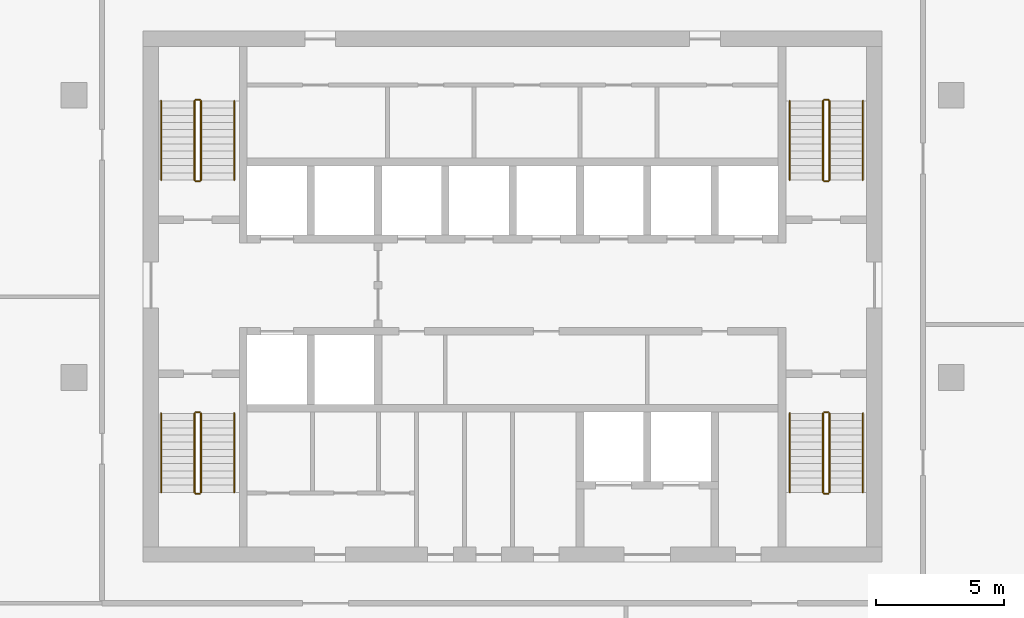
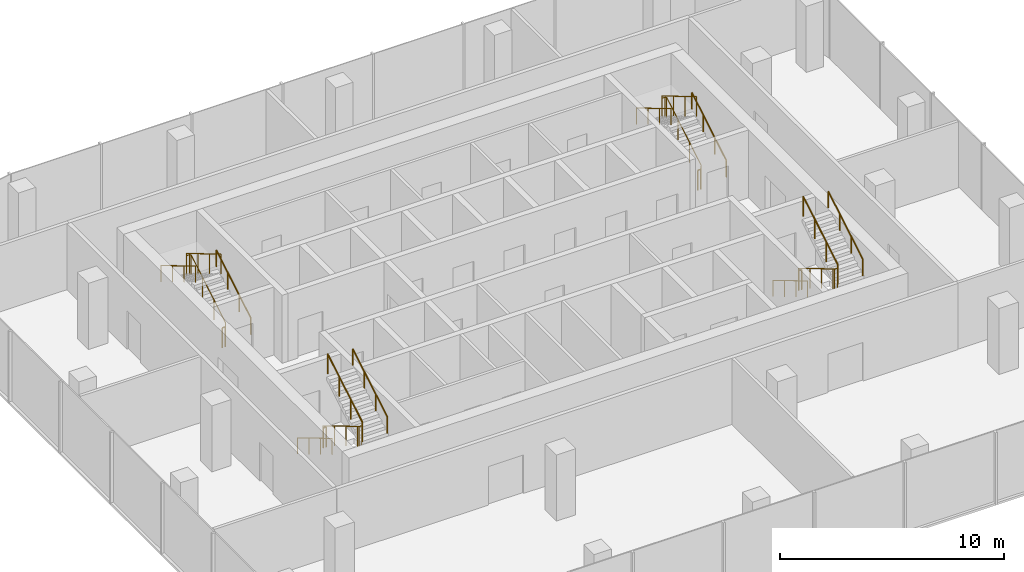
# One storey, part 9 of 9: 20 railings.
"""IFC4 building model written with IfcOpenShell, lengths in metres."""

from ifc_helpers import new_model, si_unit, direction, frame, origin, origin_2d, place, context, subcontext, project, spatial, circle, extrude, material, type_object, element, save


model = new_model("IFC4")

# Units and contexts
model_context = context("Model", 3, precision=1e-05, world=origin(), true_north=direction((0.0, 1.0)))
body_context = subcontext(model_context, "Body", "Model", "MODEL_VIEW")
ifc_project = project(units=[si_unit("LENGTHUNIT", "METRE"), si_unit("AREAUNIT", "SQUARE_METRE"), si_unit("VOLUMEUNIT", "CUBIC_METRE"), si_unit("PLANEANGLEUNIT", "RADIAN"), si_unit("MASSUNIT", "GRAM", prefix="KILO")], contexts=[model_context])

# Site, building, storey
site_placement = place(None, origin())
site = spatial("IfcSite", under=ifc_project, at=site_placement, CompositionType="ELEMENT")
building_placement = place(site_placement, origin())
building = spatial("IfcBuilding", under=site, at=building_placement, Name="Mopane Tessera Tower", CompositionType="ELEMENT")
storey_placement = place(building_placement, frame((0.0, 0.0, 353.39990234375)))
storey = spatial("IfcBuildingStorey", under=building, at=storey_placement, Name="L77", CompositionType="ELEMENT", Elevation=353.39990234375)

# Railings
ifc_material_1 = material(Name="Powder-coated steel balustrade", Category="steel")
railing_type_1 = type_object("IfcRailingType", Name="Escape stair guard 1100 mm", PredefinedType="GUARDRAIL", material=ifc_material_1)
railing_1_placement = place(storey_placement, frame((-12.39990234375, -1.39990234375, 0.166748046875)))
element("IfcRailing", 1, at=railing_1_placement, inside=storey, type_object=railing_type_1, Name="L77 ST1 stair guard 1", PredefinedType="GUARDRAIL", context=body_context, shape_type="SweptSolid", body=[
    extrude(circle(Radius=0.02392578125, at=origin_2d()), frame((0.0, 0.0, 1.076171875), z_axis=(0.0, -0.859308565015, 0.511457515432), x_axis=(1.0, 0.0, 0.0)), (0.0, 0.0, 1.0), 3.58447265625),
    extrude(circle(Radius=0.02392578125, at=origin_2d()), frame((0.0, -3.080078125, 2.9091796875), z_axis=(0.705375805398, -0.708833529934, 0.0), x_axis=(0.708833529934, 0.705375805398, 0.0)), (0.0, 0.0, 1.0), 0.070556640625),
    extrude(circle(Radius=0.02392578125, at=origin_2d()), frame((0.0498046875, -3.130126953125, 2.9091796875), z_axis=(1.0, 0.0, 0.0), x_axis=(0.0, 1.0, 0.0)), (0.0, 0.0, 1.0), 0.150146484375),
    extrude(circle(Radius=0.02099609375, at=origin_2d()), origin(), (0.0, 0.0, 1.0), 1.052001953125),
    extrude(circle(Radius=0.02099609375, at=origin_2d()), frame((0.0, -1.026611328125, 0.611083984375)), (0.0, 0.0, 1.0), 1.052001953125),
    extrude(circle(Radius=0.02099609375, at=origin_2d()), frame((0.0, -2.053466796875, 1.22216796875)), (0.0, 0.0, 1.0), 1.052001953125),
    extrude(circle(Radius=0.02099609375, at=origin_2d()), frame((0.0, -3.080078125, 1.833251953125)), (0.0, 0.0, 1.0), 1.052001953125),
    extrude(circle(Radius=0.02099609375, at=origin_2d()), frame((0.0498046875, -3.130126953125, 1.833251953125)), (0.0, 0.0, 1.0), 1.052001953125),
    extrude(circle(Radius=0.02099609375, at=origin_2d()), frame((0.199951171875, -3.130126953125, 1.833251953125)), (0.0, 0.0, 1.0), 1.052001953125),
])
railing_2_placement = place(storey_placement, frame((-12.14990234375, -4.47998046875, 2.166748046875)))
element("IfcRailing", 2, at=railing_2_placement, inside=storey, type_object=railing_type_1, Name="L77 ST1 stair guard 2", PredefinedType="GUARDRAIL", context=body_context, shape_type="SweptSolid", body=[
    extrude(circle(Radius=0.02392578125, at=origin_2d()), frame((0.0, 0.0, 1.076171875), z_axis=(0.0, 0.859308565015, 0.511457515432), x_axis=(-1.0, 0.0, 0.0)), (0.0, 0.0, 1.0), 3.58447265625),
    extrude(circle(Radius=0.02099609375, at=origin_2d()), origin(), (0.0, 0.0, 1.0), 1.052001953125),
    extrude(circle(Radius=0.02099609375, at=origin_2d()), frame((0.0, 1.026611328125, 0.611083984375)), (0.0, 0.0, 1.0), 1.052001953125),
    extrude(circle(Radius=0.02099609375, at=origin_2d()), frame((0.0, 2.053466796875, 1.22216796875)), (0.0, 0.0, 1.0), 1.052001953125),
    extrude(circle(Radius=0.02099609375, at=origin_2d()), frame((0.0, 3.080078125, 1.833251953125)), (0.0, 0.0, 1.0), 1.052001953125),
])
railing_3_placement = place(storey_placement, frame((-12.35009765625, -1.35009765625, 0.0)))
element("IfcRailing", 3, at=railing_3_placement, inside=storey, type_object=railing_type_1, Name="L77 ST1 stair guard 3", PredefinedType="GUARDRAIL", context=body_context, shape_type="SweptSolid", body=[
    extrude(circle(Radius=0.02392578125, at=origin_2d()), frame((0.0, 0.0, 1.076171875), z_axis=(1.0, 0.0, 0.0), x_axis=(0.0, 1.0, 0.0)), (0.0, 0.0, 1.0), 0.150146484375),
    extrude(circle(Radius=0.02099609375, at=origin_2d()), origin(), (0.0, 0.0, 1.0), 1.052001953125),
    extrude(circle(Radius=0.02099609375, at=origin_2d()), frame((0.150146484375, 0.0, 0.0)), (0.0, 0.0, 1.0), 1.052001953125),
])
railing_4_placement = place(storey_placement, frame((-12.14990234375, 7.699951171875, 0.166748046875)))
element("IfcRailing", 4, at=railing_4_placement, inside=storey, type_object=railing_type_1, Name="L77 ST2 stair guard 1", PredefinedType="GUARDRAIL", context=body_context, shape_type="SweptSolid", body=[
    extrude(circle(Radius=0.02392578125, at=origin_2d()), frame((0.0, 0.0, 1.076171875), z_axis=(0.0, 0.859308565015, 0.511457515432), x_axis=(-1.0, 0.0, 0.0)), (0.0, 0.0, 1.0), 3.58447265625),
    extrude(circle(Radius=0.02392578125, at=origin_2d()), frame((0.0, 3.080078125, 2.9091796875), z_axis=(-0.707106781187, 0.707106781187, 0.0), x_axis=(-0.707106781187, -0.707106781187, 0.0)), (0.0, 0.0, 1.0), 0.07080078125),
    extrude(circle(Radius=0.02392578125, at=origin_2d()), frame((-0.050048828125, 3.130126953125, 2.9091796875), z_axis=(-1.0, 0.0, 0.0), x_axis=(0.0, -1.0, 0.0)), (0.0, 0.0, 1.0), 0.150146484375),
    extrude(circle(Radius=0.02099609375, at=origin_2d()), origin(), (0.0, 0.0, 1.0), 1.052001953125),
    extrude(circle(Radius=0.02099609375, at=origin_2d()), frame((0.0, 1.026611328125, 0.611083984375)), (0.0, 0.0, 1.0), 1.052001953125),
    extrude(circle(Radius=0.02099609375, at=origin_2d()), frame((0.0, 2.053466796875, 1.22216796875)), (0.0, 0.0, 1.0), 1.052001953125),
    extrude(circle(Radius=0.02099609375, at=origin_2d()), frame((0.0, 3.080078125, 1.833251953125)), (0.0, 0.0, 1.0), 1.052001953125),
    extrude(circle(Radius=0.02099609375, at=origin_2d()), frame((-0.050048828125, 3.130126953125, 1.833251953125)), (0.0, 0.0, 1.0), 1.052001953125),
    extrude(circle(Radius=0.02099609375, at=origin_2d()), frame((-0.2001953125, 3.130126953125, 1.833251953125)), (0.0, 0.0, 1.0), 1.052001953125),
])
railing_5_placement = place(storey_placement, frame((-12.39990234375, 10.780029296875, 2.166748046875)))
element("IfcRailing", 5, at=railing_5_placement, inside=storey, type_object=railing_type_1, Name="L77 ST2 stair guard 2", PredefinedType="GUARDRAIL", context=body_context, shape_type="SweptSolid", body=[
    extrude(circle(Radius=0.02392578125, at=origin_2d()), frame((0.0, 0.0, 1.076171875), z_axis=(0.0, -0.859308565015, 0.511457515432), x_axis=(1.0, 0.0, 0.0)), (0.0, 0.0, 1.0), 3.58447265625),
    extrude(circle(Radius=0.02099609375, at=origin_2d()), origin(), (0.0, 0.0, 1.0), 1.052001953125),
    extrude(circle(Radius=0.02099609375, at=origin_2d()), frame((0.0, -1.026611328125, 0.611083984375)), (0.0, 0.0, 1.0), 1.052001953125),
    extrude(circle(Radius=0.02099609375, at=origin_2d()), frame((0.0, -2.053466796875, 1.22216796875)), (0.0, 0.0, 1.0), 1.052001953125),
    extrude(circle(Radius=0.02099609375, at=origin_2d()), frame((0.0, -3.080078125, 1.833251953125)), (0.0, 0.0, 1.0), 1.052001953125),
])
railing_6_placement = place(storey_placement, frame((-12.199951171875, 7.64990234375, 0.0)))
element("IfcRailing", 6, at=railing_6_placement, inside=storey, type_object=railing_type_1, Name="L77 ST2 stair guard 3", PredefinedType="GUARDRAIL", context=body_context, shape_type="SweptSolid", body=[
    extrude(circle(Radius=0.02392578125, at=origin_2d()), frame((0.0, 0.0, 1.076171875), z_axis=(-1.0, 0.0, 0.0), x_axis=(0.0, -1.0, 0.0)), (0.0, 0.0, 1.0), 0.150146484375),
    extrude(circle(Radius=0.02099609375, at=origin_2d()), origin(), (0.0, 0.0, 1.0), 1.052001953125),
    extrude(circle(Radius=0.02099609375, at=origin_2d()), frame((-0.150146484375, 0.0, 0.0)), (0.0, 0.0, 1.0), 1.052001953125),
])
railing_7_placement = place(storey_placement, frame((12.10009765625, -1.39990234375, 0.166748046875)))
element("IfcRailing", 7, at=railing_7_placement, inside=storey, type_object=railing_type_1, Name="L77 ST3 stair guard 1", PredefinedType="GUARDRAIL", context=body_context, shape_type="SweptSolid", body=[
    extrude(circle(Radius=0.02392578125, at=origin_2d()), frame((0.0, 0.0, 1.076171875), z_axis=(0.0, -0.859308565015, 0.511457515432), x_axis=(1.0, 0.0, 0.0)), (0.0, 0.0, 1.0), 3.58447265625),
    extrude(circle(Radius=0.02392578125, at=origin_2d()), frame((0.0, -3.080078125, 2.9091796875), z_axis=(0.705375805398, -0.708833529934, 0.0), x_axis=(0.708833529934, 0.705375805398, 0.0)), (0.0, 0.0, 1.0), 0.070556640625),
    extrude(circle(Radius=0.02392578125, at=origin_2d()), frame((0.0498046875, -3.130126953125, 2.9091796875), z_axis=(1.0, 0.0, 0.0), x_axis=(0.0, 1.0, 0.0)), (0.0, 0.0, 1.0), 0.150146484375),
    extrude(circle(Radius=0.02099609375, at=origin_2d()), origin(), (0.0, 0.0, 1.0), 1.052001953125),
    extrude(circle(Radius=0.02099609375, at=origin_2d()), frame((0.0, -1.026611328125, 0.611083984375)), (0.0, 0.0, 1.0), 1.052001953125),
    extrude(circle(Radius=0.02099609375, at=origin_2d()), frame((0.0, -2.053466796875, 1.22216796875)), (0.0, 0.0, 1.0), 1.052001953125),
    extrude(circle(Radius=0.02099609375, at=origin_2d()), frame((0.0, -3.080078125, 1.833251953125)), (0.0, 0.0, 1.0), 1.052001953125),
    extrude(circle(Radius=0.02099609375, at=origin_2d()), frame((0.0498046875, -3.130126953125, 1.833251953125)), (0.0, 0.0, 1.0), 1.052001953125),
    extrude(circle(Radius=0.02099609375, at=origin_2d()), frame((0.199951171875, -3.130126953125, 1.833251953125)), (0.0, 0.0, 1.0), 1.052001953125),
])
railing_8_placement = place(storey_placement, frame((12.35009765625, -4.47998046875, 2.166748046875)))
element("IfcRailing", 8, at=railing_8_placement, inside=storey, type_object=railing_type_1, Name="L77 ST3 stair guard 2", PredefinedType="GUARDRAIL", context=body_context, shape_type="SweptSolid", body=[
    extrude(circle(Radius=0.02392578125, at=origin_2d()), frame((0.0, 0.0, 1.076171875), z_axis=(0.0, 0.859308565015, 0.511457515432), x_axis=(-1.0, 0.0, 0.0)), (0.0, 0.0, 1.0), 3.58447265625),
    extrude(circle(Radius=0.02099609375, at=origin_2d()), origin(), (0.0, 0.0, 1.0), 1.052001953125),
    extrude(circle(Radius=0.02099609375, at=origin_2d()), frame((0.0, 1.026611328125, 0.611083984375)), (0.0, 0.0, 1.0), 1.052001953125),
    extrude(circle(Radius=0.02099609375, at=origin_2d()), frame((0.0, 2.053466796875, 1.22216796875)), (0.0, 0.0, 1.0), 1.052001953125),
    extrude(circle(Radius=0.02099609375, at=origin_2d()), frame((0.0, 3.080078125, 1.833251953125)), (0.0, 0.0, 1.0), 1.052001953125),
])
railing_9_placement = place(storey_placement, frame((12.14990234375, -1.35009765625, 0.0)))
element("IfcRailing", 9, at=railing_9_placement, inside=storey, type_object=railing_type_1, Name="L77 ST3 stair guard 3", PredefinedType="GUARDRAIL", context=body_context, shape_type="SweptSolid", body=[
    extrude(circle(Radius=0.02392578125, at=origin_2d()), frame((0.0, 0.0, 1.076171875), z_axis=(1.0, 0.0, 0.0), x_axis=(0.0, 1.0, 0.0)), (0.0, 0.0, 1.0), 0.150146484375),
    extrude(circle(Radius=0.02099609375, at=origin_2d()), origin(), (0.0, 0.0, 1.0), 1.052001953125),
    extrude(circle(Radius=0.02099609375, at=origin_2d()), frame((0.150146484375, 0.0, 0.0)), (0.0, 0.0, 1.0), 1.052001953125),
])
railing_10_placement = place(storey_placement, frame((12.35009765625, 7.699951171875, 0.166748046875)))
element("IfcRailing", 10, at=railing_10_placement, inside=storey, type_object=railing_type_1, Name="L77 ST4 stair guard 1", PredefinedType="GUARDRAIL", context=body_context, shape_type="SweptSolid", body=[
    extrude(circle(Radius=0.02392578125, at=origin_2d()), frame((0.0, 0.0, 1.076171875), z_axis=(0.0, 0.859308565015, 0.511457515432), x_axis=(-1.0, 0.0, 0.0)), (0.0, 0.0, 1.0), 3.58447265625),
    extrude(circle(Radius=0.02392578125, at=origin_2d()), frame((0.0, 3.080078125, 2.9091796875), z_axis=(-0.707106781187, 0.707106781187, 0.0), x_axis=(-0.707106781187, -0.707106781187, 0.0)), (0.0, 0.0, 1.0), 0.07080078125),
    extrude(circle(Radius=0.02392578125, at=origin_2d()), frame((-0.050048828125, 3.130126953125, 2.9091796875), z_axis=(-1.0, 0.0, 0.0), x_axis=(0.0, -1.0, 0.0)), (0.0, 0.0, 1.0), 0.150146484375),
    extrude(circle(Radius=0.02099609375, at=origin_2d()), origin(), (0.0, 0.0, 1.0), 1.052001953125),
    extrude(circle(Radius=0.02099609375, at=origin_2d()), frame((0.0, 1.026611328125, 0.611083984375)), (0.0, 0.0, 1.0), 1.052001953125),
    extrude(circle(Radius=0.02099609375, at=origin_2d()), frame((0.0, 2.053466796875, 1.22216796875)), (0.0, 0.0, 1.0), 1.052001953125),
    extrude(circle(Radius=0.02099609375, at=origin_2d()), frame((0.0, 3.080078125, 1.833251953125)), (0.0, 0.0, 1.0), 1.052001953125),
    extrude(circle(Radius=0.02099609375, at=origin_2d()), frame((-0.050048828125, 3.130126953125, 1.833251953125)), (0.0, 0.0, 1.0), 1.052001953125),
    extrude(circle(Radius=0.02099609375, at=origin_2d()), frame((-0.2001953125, 3.130126953125, 1.833251953125)), (0.0, 0.0, 1.0), 1.052001953125),
])
railing_11_placement = place(storey_placement, frame((12.10009765625, 10.780029296875, 2.166748046875)))
element("IfcRailing", 11, at=railing_11_placement, inside=storey, type_object=railing_type_1, Name="L77 ST4 stair guard 2", PredefinedType="GUARDRAIL", context=body_context, shape_type="SweptSolid", body=[
    extrude(circle(Radius=0.02392578125, at=origin_2d()), frame((0.0, 0.0, 1.076171875), z_axis=(0.0, -0.859308565015, 0.511457515432), x_axis=(1.0, 0.0, 0.0)), (0.0, 0.0, 1.0), 3.58447265625),
    extrude(circle(Radius=0.02099609375, at=origin_2d()), origin(), (0.0, 0.0, 1.0), 1.052001953125),
    extrude(circle(Radius=0.02099609375, at=origin_2d()), frame((0.0, -1.026611328125, 0.611083984375)), (0.0, 0.0, 1.0), 1.052001953125),
    extrude(circle(Radius=0.02099609375, at=origin_2d()), frame((0.0, -2.053466796875, 1.22216796875)), (0.0, 0.0, 1.0), 1.052001953125),
    extrude(circle(Radius=0.02099609375, at=origin_2d()), frame((0.0, -3.080078125, 1.833251953125)), (0.0, 0.0, 1.0), 1.052001953125),
])
railing_12_placement = place(storey_placement, frame((12.300048828125, 7.64990234375, 0.0)))
element("IfcRailing", 12, at=railing_12_placement, inside=storey, type_object=railing_type_1, Name="L77 ST4 stair guard 3", PredefinedType="GUARDRAIL", context=body_context, shape_type="SweptSolid", body=[
    extrude(circle(Radius=0.02392578125, at=origin_2d()), frame((0.0, 0.0, 1.076171875), z_axis=(-1.0, 0.0, 0.0), x_axis=(0.0, -1.0, 0.0)), (0.0, 0.0, 1.0), 0.150146484375),
    extrude(circle(Radius=0.02099609375, at=origin_2d()), origin(), (0.0, 0.0, 1.0), 1.052001953125),
    extrude(circle(Radius=0.02099609375, at=origin_2d()), frame((-0.150146484375, 0.0, 0.0)), (0.0, 0.0, 1.0), 1.052001953125),
])
ifc_material_2 = material(Name="Powder-coated steel balustrade", Category="steel")
railing_type_2 = type_object("IfcRailingType", Name="Escape stair handrail 900 mm", PredefinedType="HANDRAIL", material=ifc_material_2)
railing_13_placement = place(storey_placement, frame((-13.699951171875, -1.39990234375, 0.166748046875)))
element("IfcRailing", 13, at=railing_13_placement, inside=storey, type_object=railing_type_2, Name="L77 ST1 stair handrail 1", PredefinedType="HANDRAIL", context=body_context, shape_type="SweptSolid", body=[
    extrude(circle(Radius=0.02392578125, at=origin_2d()), frame((0.0, 0.0, 0.8759765625), z_axis=(0.0, -0.859308565015, 0.511457515432), x_axis=(1.0, 0.0, 0.0)), (0.0, 0.0, 1.0), 3.58447265625),
    extrude(circle(Radius=0.02099609375, at=origin_2d()), origin(), (0.0, 0.0, 1.0), 0.851806640625),
    extrude(circle(Radius=0.02099609375, at=origin_2d()), frame((0.0, -1.026611328125, 0.611083984375)), (0.0, 0.0, 1.0), 0.851806640625),
    extrude(circle(Radius=0.02099609375, at=origin_2d()), frame((0.0, -2.053466796875, 1.22216796875)), (0.0, 0.0, 1.0), 0.851806640625),
    extrude(circle(Radius=0.02099609375, at=origin_2d()), frame((0.0, -3.080078125, 1.833251953125)), (0.0, 0.0, 1.0), 0.851806640625),
])
for number, where, name in (
    (14, (-10.85009765625, -4.47998046875, 2.166748046875), "L77 ST1 stair handrail 2"),
    (15, (-10.85009765625, 7.699951171875, 0.166748046875), "L77 ST2 stair handrail 1"),
):
    element("IfcRailing", number, at=place(storey_placement, frame(where)), inside=storey, type_object=railing_type_2, Name=name, PredefinedType="HANDRAIL", context=body_context, shape_type="SweptSolid", body=[
        extrude(circle(Radius=0.02392578125, at=origin_2d()), frame((0.0, 0.0, 0.8759765625), z_axis=(0.0, 0.859308565015, 0.511457515432), x_axis=(-1.0, 0.0, 0.0)), (0.0, 0.0, 1.0), 3.58447265625),
        extrude(circle(Radius=0.02099609375, at=origin_2d()), origin(), (0.0, 0.0, 1.0), 0.851806640625),
        extrude(circle(Radius=0.02099609375, at=origin_2d()), frame((0.0, 1.026611328125, 0.611083984375)), (0.0, 0.0, 1.0), 0.851806640625),
        extrude(circle(Radius=0.02099609375, at=origin_2d()), frame((0.0, 2.053466796875, 1.22216796875)), (0.0, 0.0, 1.0), 0.851806640625),
        extrude(circle(Radius=0.02099609375, at=origin_2d()), frame((0.0, 3.080078125, 1.833251953125)), (0.0, 0.0, 1.0), 0.851806640625),
    ])
for number, where, name in (
    (16, (-13.699951171875, 10.780029296875, 2.166748046875), "L77 ST2 stair handrail 2"),
    (17, (10.800048828125, -1.39990234375, 0.166748046875), "L77 ST3 stair handrail 1"),
):
    element("IfcRailing", number, at=place(storey_placement, frame(where)), inside=storey, type_object=railing_type_2, Name=name, PredefinedType="HANDRAIL", context=body_context, shape_type="SweptSolid", body=[
        extrude(circle(Radius=0.02392578125, at=origin_2d()), frame((0.0, 0.0, 0.8759765625), z_axis=(0.0, -0.859308565015, 0.511457515432), x_axis=(1.0, 0.0, 0.0)), (0.0, 0.0, 1.0), 3.58447265625),
        extrude(circle(Radius=0.02099609375, at=origin_2d()), origin(), (0.0, 0.0, 1.0), 0.851806640625),
        extrude(circle(Radius=0.02099609375, at=origin_2d()), frame((0.0, -1.026611328125, 0.611083984375)), (0.0, 0.0, 1.0), 0.851806640625),
        extrude(circle(Radius=0.02099609375, at=origin_2d()), frame((0.0, -2.053466796875, 1.22216796875)), (0.0, 0.0, 1.0), 0.851806640625),
        extrude(circle(Radius=0.02099609375, at=origin_2d()), frame((0.0, -3.080078125, 1.833251953125)), (0.0, 0.0, 1.0), 0.851806640625),
    ])
for number, where, name in (
    (18, (13.64990234375, -4.47998046875, 2.166748046875), "L77 ST3 stair handrail 2"),
    (19, (13.64990234375, 7.699951171875, 0.166748046875), "L77 ST4 stair handrail 1"),
):
    element("IfcRailing", number, at=place(storey_placement, frame(where)), inside=storey, type_object=railing_type_2, Name=name, PredefinedType="HANDRAIL", context=body_context, shape_type="SweptSolid", body=[
        extrude(circle(Radius=0.02392578125, at=origin_2d()), frame((0.0, 0.0, 0.8759765625), z_axis=(0.0, 0.859308565015, 0.511457515432), x_axis=(-1.0, 0.0, 0.0)), (0.0, 0.0, 1.0), 3.58447265625),
        extrude(circle(Radius=0.02099609375, at=origin_2d()), origin(), (0.0, 0.0, 1.0), 0.851806640625),
        extrude(circle(Radius=0.02099609375, at=origin_2d()), frame((0.0, 1.026611328125, 0.611083984375)), (0.0, 0.0, 1.0), 0.851806640625),
        extrude(circle(Radius=0.02099609375, at=origin_2d()), frame((0.0, 2.053466796875, 1.22216796875)), (0.0, 0.0, 1.0), 0.851806640625),
        extrude(circle(Radius=0.02099609375, at=origin_2d()), frame((0.0, 3.080078125, 1.833251953125)), (0.0, 0.0, 1.0), 0.851806640625),
    ])
railing_14_placement = place(storey_placement, frame((10.800048828125, 10.780029296875, 2.166748046875)))
element("IfcRailing", 20, at=railing_14_placement, inside=storey, type_object=railing_type_2, Name="L77 ST4 stair handrail 2", PredefinedType="HANDRAIL", context=body_context, shape_type="SweptSolid", body=[
    extrude(circle(Radius=0.02392578125, at=origin_2d()), frame((0.0, 0.0, 0.8759765625), z_axis=(0.0, -0.859308565015, 0.511457515432), x_axis=(1.0, 0.0, 0.0)), (0.0, 0.0, 1.0), 3.58447265625),
    extrude(circle(Radius=0.02099609375, at=origin_2d()), origin(), (0.0, 0.0, 1.0), 0.851806640625),
    extrude(circle(Radius=0.02099609375, at=origin_2d()), frame((0.0, -1.026611328125, 0.611083984375)), (0.0, 0.0, 1.0), 0.851806640625),
    extrude(circle(Radius=0.02099609375, at=origin_2d()), frame((0.0, -2.053466796875, 1.22216796875)), (0.0, 0.0, 1.0), 0.851806640625),
    extrude(circle(Radius=0.02099609375, at=origin_2d()), frame((0.0, -3.080078125, 1.833251953125)), (0.0, 0.0, 1.0), 0.851806640625),
])

save(model, "model.ifc")
